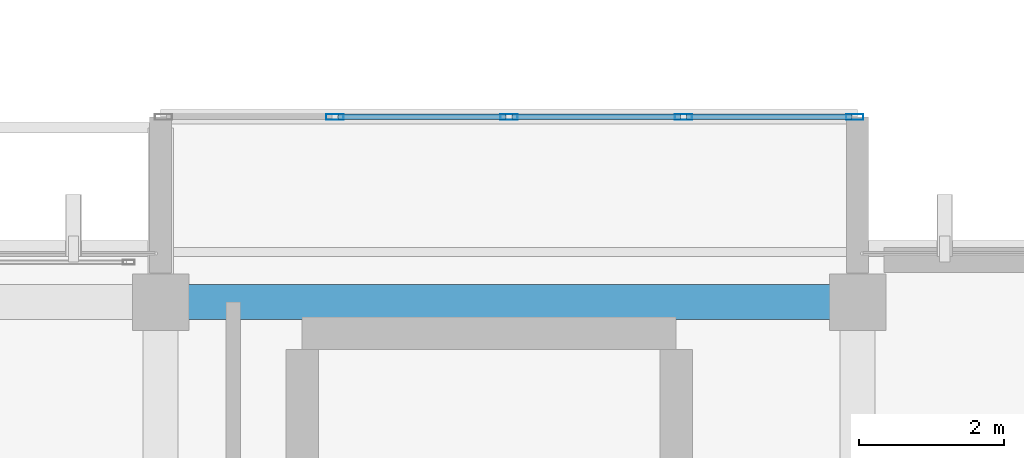
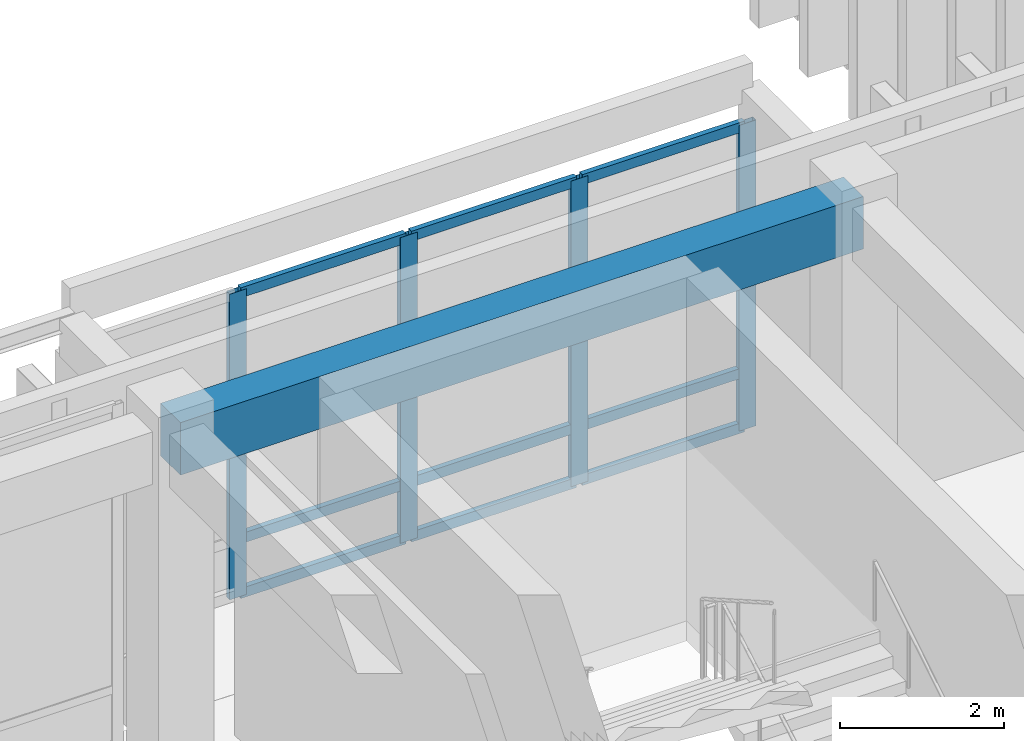
# One storey, part 77 of 134: 13 members, 1 beam, 1 element without a shape of its own.
"""IFC4 building model written with IfcOpenShell, lengths in metres."""

from ifc_helpers import new_model, si_unit, direction, frame, origin, origin_2d, place, context, subcontext, project, spatial, rectangle, hollow_rectangle, extrude, material, layer, layer_set, material_profile, profile_set, type_object, element, aggregate, save


model = new_model("IFC4")

# Units and contexts
model_context = context("Model", 3, precision=1e-05, world=origin(), true_north=direction((0.0, 1.0)))
body_context = subcontext(model_context, "Body", "Model", "MODEL_VIEW")
ifc_project = project(units=[si_unit("LENGTHUNIT", "METRE"), si_unit("AREAUNIT", "SQUARE_METRE"), si_unit("VOLUMEUNIT", "CUBIC_METRE"), si_unit("PLANEANGLEUNIT", "RADIAN"), si_unit("MASSUNIT", "GRAM", prefix="KILO")], contexts=[model_context])

# Site, building, storey
site_placement = place(None, origin())
site = spatial("IfcSite", under=ifc_project, at=site_placement, CompositionType="ELEMENT")
building_placement = place(site_placement, origin())
building = spatial("IfcBuilding", under=site, at=building_placement, Name="Nakhvara Creek Congress Hotel", CompositionType="ELEMENT")
storey_placement = place(building_placement, frame((0.0, 0.0, 6.0)))
storey = spatial("IfcBuildingStorey", under=building, at=storey_placement, Name="L01", CompositionType="ELEMENT", Elevation=6.0)

# Beam
ifc_material_1 = material(Name="Concrete C40/50", Category="concrete")
ifc_material_profile_1 = material_profile(ifc_material_1, rectangle(XDim=0.47998046875, YDim=0.780029296875, at=origin_2d()), Name="RC-BM 480x780", Category="LoadBearing")
ifc_profile_set_1 = profile_set([ifc_material_profile_1], Name="Concrete C40/50")
beam_type = type_object("IfcBeamType", Name="BM-RC-480X780", PredefinedType="BEAM", material=ifc_profile_set_1)
beam_placement = place(storey_placement, frame((134.39990234375, 95.25, 4.7099609375), z_axis=(1.0, 0.0, 0.0), x_axis=(0.0, 1.0, 0.0)))
element("IfcBeam", 1, at=beam_placement, inside=storey, type_object=beam_type, Name="Beam B13-L01-1253", PredefinedType="BEAM", context=body_context, shape_type="SweptSolid", body=[
    extrude(rectangle(XDim=0.47998046875, YDim=0.780029296875, at=origin_2d()), origin(), (0.0, 0.0, 1.0), 9.60009765625),
])

# Curtain wall, members
ifc_material_2 = material(Name="Bronze-anodised aluminium AW-6063-T6 and double-silver low-E glass", Category="aluminium")
ifc_layer = layer(ifc_material_2, 0.219970703125)
ifc_layer_set = layer_set([ifc_layer], Name="Bronze-anodised aluminium AW-6063-T6 and double-silver low-E glass")
curtain_wall_type = type_object("IfcCurtainWallType", Name="CW-BOX-PROJ", PredefinedType="USERDEFINED", material=ifc_layer_set)
curtain_wall_placement = place(storey_placement, origin())
curtain_wall = element("IfcCurtainWall", 2, at=curtain_wall_placement, inside=storey, type_object=curtain_wall_type, Name="Curtain Wall CW067", ObjectType="UNITISED", PredefinedType="USERDEFINED")
ifc_material_3 = material(Name="Bronze-anodised aluminium AW-6063-T6", Category="aluminium")
ifc_material_profile_2 = material_profile(ifc_material_3, hollow_rectangle(XDim=0.080078125, YDim=0.239990234375, WallThickness=0.0048828125, at=origin_2d()), Name="ALU-MULL 80x240x5", Category="LoadBearing")
ifc_profile_set_2 = profile_set([ifc_material_profile_2], Name="Bronze-anodised aluminium AW-6063-T6")
member_type_1 = type_object("IfcMemberType", Name="CW-MULL-240", PredefinedType="MULLION", material=ifc_profile_set_2)
member_1_placement = place(storey_placement, frame((136.800048828125, 97.800048828125, 0.0), z_axis=(0.0, 0.0, 1.0), x_axis=(0.0, 1.0, 0.0)))
member_1 = element("IfcMember", 3, at=member_1_placement, type_object=member_type_1, Name="CW067 mullion 2", PredefinedType="MULLION", context=body_context, shape_type="SweptSolid", body=[
    extrude(hollow_rectangle(XDim=0.080078125, YDim=0.239990234375, WallThickness=0.0048828125, at=origin_2d()), origin(), (0.0, 0.0, 1.0), 4.5419921875),
])
member_2_placement = place(storey_placement, frame((139.199951171875, 97.800048828125, 0.0), z_axis=(0.0, 0.0, 1.0), x_axis=(0.0, 1.0, 0.0)))
member_2 = element("IfcMember", 4, at=member_2_placement, type_object=member_type_1, Name="CW067 mullion 3", PredefinedType="MULLION", context=body_context, shape_type="SweptSolid", body=[
    extrude(hollow_rectangle(XDim=0.080078125, YDim=0.239990234375, WallThickness=0.0048828125, at=origin_2d()), origin(), (0.0, 0.0, 1.0), 4.5419921875),
])
member_3_placement = place(storey_placement, frame((141.60009765625, 97.800048828125, 0.0), z_axis=(0.0, 0.0, 1.0), x_axis=(0.0, 1.0, 0.0)))
member_3 = element("IfcMember", 5, at=member_3_placement, type_object=member_type_1, Name="CW067 mullion 4", PredefinedType="MULLION", context=body_context, shape_type="SweptSolid", body=[
    extrude(hollow_rectangle(XDim=0.080078125, YDim=0.239990234375, WallThickness=0.0048828125, at=origin_2d()), origin(), (0.0, 0.0, 1.0), 4.5419921875),
])
member_4_placement = place(storey_placement, frame((143.9599609375, 97.800048828125, 0.0), z_axis=(0.0, 0.0, 1.0), x_axis=(0.0, 1.0, 0.0)))
member_4 = element("IfcMember", 6, at=member_4_placement, type_object=member_type_1, Name="CW067 mullion 5", PredefinedType="MULLION", context=body_context, shape_type="SweptSolid", body=[
    extrude(hollow_rectangle(XDim=0.080078125, YDim=0.239990234375, WallThickness=0.0048828125, at=origin_2d()), origin(), (0.0, 0.0, 1.0), 4.5419921875),
])
ifc_material_profile_3 = material_profile(ifc_material_3, hollow_rectangle(XDim=0.074951171875, YDim=0.14990234375, WallThickness=0.00390625, at=origin_2d()), Name="ALU-TRAN 75x150x4", Category="LoadBearing")
ifc_profile_set_3 = profile_set([ifc_material_profile_3], Name="Bronze-anodised aluminium AW-6063-T6")
member_type_2 = type_object("IfcMemberType", Name="CW-TRAN-150", PredefinedType="USERDEFINED", material=ifc_profile_set_3)
member_5_placement = place(storey_placement, frame((136.840087890625, 97.800048828125, 0.03759765625), z_axis=(1.0, 0.0, 0.0), x_axis=(0.0, 1.0, 0.0)))
member_5 = element("IfcMember", 7, at=member_5_placement, type_object=member_type_2, Name="CW067 transom 2.1", ObjectType="TRANSOM", PredefinedType="USERDEFINED", context=body_context, shape_type="SweptSolid", body=[
    extrude(hollow_rectangle(XDim=0.074951171875, YDim=0.14990234375, WallThickness=0.00390625, at=origin_2d()), origin(), (0.0, 0.0, 1.0), 2.31982421875),
])
member_6_placement = place(storey_placement, frame((136.840087890625, 97.800048828125, 0.85009765625), z_axis=(1.0, 0.0, 0.0), x_axis=(0.0, 1.0, 0.0)))
member_6 = element("IfcMember", 8, at=member_6_placement, type_object=member_type_2, Name="CW067 transom 2.2", ObjectType="TRANSOM", PredefinedType="USERDEFINED", context=body_context, shape_type="SweptSolid", body=[
    extrude(hollow_rectangle(XDim=0.074951171875, YDim=0.14990234375, WallThickness=0.00390625, at=origin_2d()), origin(), (0.0, 0.0, 1.0), 2.31982421875),
])
member_7_placement = place(storey_placement, frame((136.840087890625, 97.800048828125, 4.50439453125), z_axis=(1.0, 0.0, 0.0), x_axis=(0.0, 1.0, 0.0)))
member_7 = element("IfcMember", 9, at=member_7_placement, type_object=member_type_2, Name="CW067 transom 2.3", ObjectType="TRANSOM", PredefinedType="USERDEFINED", context=body_context, shape_type="SweptSolid", body=[
    extrude(hollow_rectangle(XDim=0.074951171875, YDim=0.14990234375, WallThickness=0.00390625, at=origin_2d()), origin(), (0.0, 0.0, 1.0), 2.31982421875),
])
member_8_placement = place(storey_placement, frame((139.239990234375, 97.800048828125, 0.03759765625), z_axis=(1.0, 0.0, 0.0), x_axis=(0.0, 1.0, 0.0)))
member_8 = element("IfcMember", 10, at=member_8_placement, type_object=member_type_2, Name="CW067 transom 3.1", ObjectType="TRANSOM", PredefinedType="USERDEFINED", context=body_context, shape_type="SweptSolid", body=[
    extrude(hollow_rectangle(XDim=0.074951171875, YDim=0.14990234375, WallThickness=0.00390625, at=origin_2d()), origin(), (0.0, 0.0, 1.0), 2.320068359375),
])
member_9_placement = place(storey_placement, frame((139.239990234375, 97.800048828125, 0.85009765625), z_axis=(1.0, 0.0, 0.0), x_axis=(0.0, 1.0, 0.0)))
member_9 = element("IfcMember", 11, at=member_9_placement, type_object=member_type_2, Name="CW067 transom 3.2", ObjectType="TRANSOM", PredefinedType="USERDEFINED", context=body_context, shape_type="SweptSolid", body=[
    extrude(hollow_rectangle(XDim=0.074951171875, YDim=0.14990234375, WallThickness=0.00390625, at=origin_2d()), origin(), (0.0, 0.0, 1.0), 2.320068359375),
])
member_10_placement = place(storey_placement, frame((139.239990234375, 97.800048828125, 4.50439453125), z_axis=(1.0, 0.0, 0.0), x_axis=(0.0, 1.0, 0.0)))
member_10 = element("IfcMember", 12, at=member_10_placement, type_object=member_type_2, Name="CW067 transom 3.3", ObjectType="TRANSOM", PredefinedType="USERDEFINED", context=body_context, shape_type="SweptSolid", body=[
    extrude(hollow_rectangle(XDim=0.074951171875, YDim=0.14990234375, WallThickness=0.00390625, at=origin_2d()), origin(), (0.0, 0.0, 1.0), 2.320068359375),
])
member_11_placement = place(storey_placement, frame((141.639892578125, 97.800048828125, 0.03759765625), z_axis=(1.0, 0.0, 0.0), x_axis=(0.0, 1.0, 0.0)))
member_11 = element("IfcMember", 13, at=member_11_placement, type_object=member_type_2, Name="CW067 transom 4.1", ObjectType="TRANSOM", PredefinedType="USERDEFINED", context=body_context, shape_type="SweptSolid", body=[
    extrude(hollow_rectangle(XDim=0.074951171875, YDim=0.14990234375, WallThickness=0.00390625, at=origin_2d()), origin(), (0.0, 0.0, 1.0), 2.280029296875),
])
member_12_placement = place(storey_placement, frame((141.639892578125, 97.800048828125, 0.85009765625), z_axis=(1.0, 0.0, 0.0), x_axis=(0.0, 1.0, 0.0)))
member_12 = element("IfcMember", 14, at=member_12_placement, type_object=member_type_2, Name="CW067 transom 4.2", ObjectType="TRANSOM", PredefinedType="USERDEFINED", context=body_context, shape_type="SweptSolid", body=[
    extrude(hollow_rectangle(XDim=0.074951171875, YDim=0.14990234375, WallThickness=0.00390625, at=origin_2d()), origin(), (0.0, 0.0, 1.0), 2.280029296875),
])
member_13_placement = place(storey_placement, frame((141.639892578125, 97.800048828125, 4.50439453125), z_axis=(1.0, 0.0, 0.0), x_axis=(0.0, 1.0, 0.0)))
member_13 = element("IfcMember", 15, at=member_13_placement, type_object=member_type_2, Name="CW067 transom 4.3", ObjectType="TRANSOM", PredefinedType="USERDEFINED", context=body_context, shape_type="SweptSolid", body=[
    extrude(hollow_rectangle(XDim=0.074951171875, YDim=0.14990234375, WallThickness=0.00390625, at=origin_2d()), origin(), (0.0, 0.0, 1.0), 2.280029296875),
])
aggregate(curtain_wall, [member_1, member_2, member_3, member_4, member_5, member_6, member_7, member_8, member_9, member_10, member_11, member_12, member_13])

save(model, "model.ifc")
